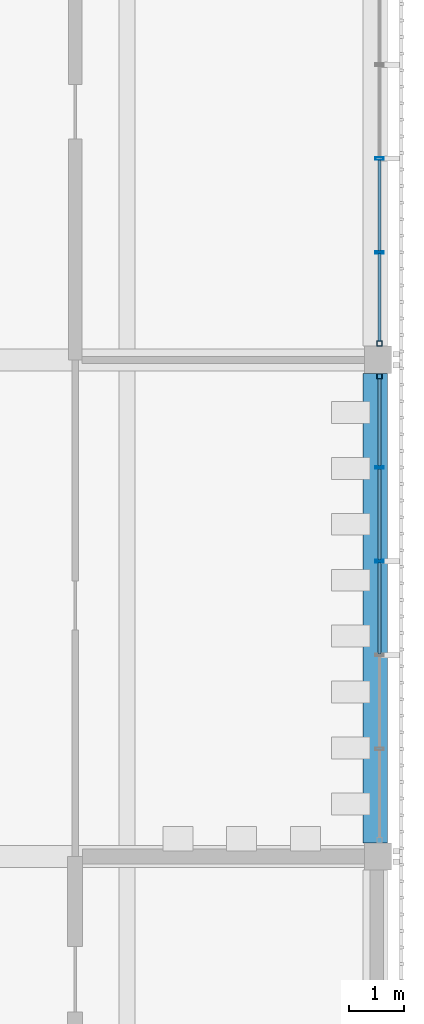
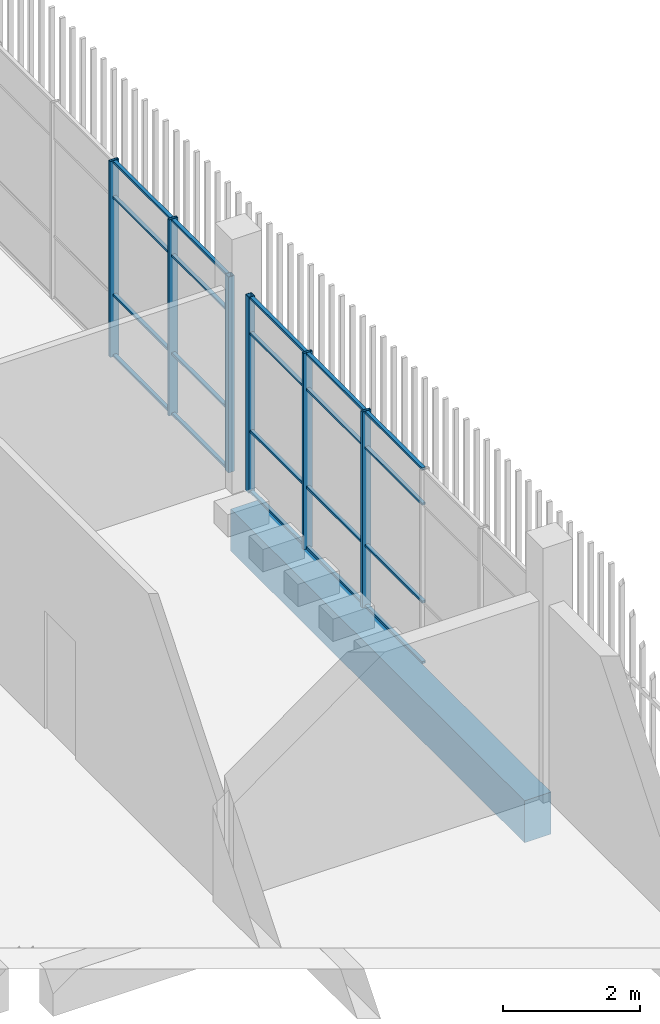
# One storey, part 54 of 124: 26 members, 1 beam, 2 elements without a shape of their own.
"""IFC4 building model written with IfcOpenShell, lengths in metres."""

from ifc_helpers import new_model, si_unit, direction, frame, origin, origin_2d, place, context, subcontext, project, spatial, rectangle, hollow_rectangle, extrude, material, layer, layer_set, material_profile, profile_set, type_object, element, aggregate, save


model = new_model("IFC4")

# Units and contexts
model_context = context("Model", 3, precision=1e-05, world=origin(), true_north=direction((0.0, 1.0)))
body_context = subcontext(model_context, "Body", "Model", "MODEL_VIEW")
ifc_project = project(units=[si_unit("LENGTHUNIT", "METRE"), si_unit("AREAUNIT", "SQUARE_METRE"), si_unit("VOLUMEUNIT", "CUBIC_METRE"), si_unit("PLANEANGLEUNIT", "RADIAN"), si_unit("MASSUNIT", "GRAM", prefix="KILO")], contexts=[model_context])

# Site, building, storey
site_placement = place(None, origin())
site = spatial("IfcSite", under=ifc_project, at=site_placement, CompositionType="ELEMENT")
building_placement = place(site_placement, origin())
building = spatial("IfcBuilding", under=site, at=building_placement, Name="Shirokan Park Arena", CompositionType="ELEMENT")
storey_placement = place(building_placement, frame((0.0, 0.0, 20.02001953125)))
storey = spatial("IfcBuildingStorey", under=building, at=storey_placement, Name="L04", CompositionType="ELEMENT", Elevation=20.02001953125)

# Curtain wall, member
ifc_material_1 = material(Name="Steel and glass curtain wall", Category="steel")
ifc_layer = layer(ifc_material_1, 0.14990234375)
ifc_layer_set = layer_set([ifc_layer], Name="Steel and glass curtain wall 150 mm")
curtain_wall_type = type_object("IfcCurtainWallType", Name="Curtain wall exposed bay 150", PredefinedType="NOTDEFINED", material=ifc_layer_set)
curtain_wall_1_placement = place(storey_placement, origin())
curtain_wall_1 = element("IfcCurtainWall", 1, at=curtain_wall_1_placement, inside=storey, type_object=curtain_wall_type, Name="Curtain wall east bay 6 L04", PredefinedType="NOTDEFINED")
ifc_material_2 = material(Name="Steel S355", Category="steel")
ifc_material_profile_1 = material_profile(ifc_material_2, hollow_rectangle(XDim=0.10009765625, YDim=0.10009765625, WallThickness=0.006103515625, at=origin_2d()), Name="RHS 100x100x6")
ifc_profile_set_1 = profile_set([ifc_material_profile_1], Name="Steel S355")
member_type_1 = type_object("IfcMemberType", Name="Mullion RHS 100x100x6", PredefinedType="MULLION", material=ifc_profile_set_1)
member_1_placement = place(storey_placement, frame((145.675048828125, 54.300048828125, 0.0), z_axis=(0.0, 0.0, 1.0), x_axis=(-1.0, 0.0, 0.0)))
member_1 = element("IfcMember", 2, at=member_1_placement, type_object=member_type_1, Name="CW1 mullion 6", PredefinedType="MULLION", context=body_context, shape_type="SweptSolid", body=[
    extrude(hollow_rectangle(XDim=0.10009765625, YDim=0.10009765625, WallThickness=0.006103515625, at=origin_2d()), origin(), (0.0, 0.0, 1.0), 3.5),
])

curtain_wall_2_placement = place(storey_placement, origin())
curtain_wall_2 = element("IfcCurtainWall", 3, at=curtain_wall_2_placement, inside=storey, type_object=curtain_wall_type, Name="Curtain wall east bay 7 L04", PredefinedType="NOTDEFINED")
member_2_placement = place(storey_placement, frame((145.675048828125, 54.89990234375, 0.0), z_axis=(0.0, 0.0, 1.0), x_axis=(-1.0, 0.0, 0.0)))
member_2 = element("IfcMember", 4, at=member_2_placement, type_object=member_type_1, Name="CW1 mullion 1", PredefinedType="MULLION", context=body_context, shape_type="SweptSolid", body=[
    extrude(hollow_rectangle(XDim=0.10009765625, YDim=0.10009765625, WallThickness=0.006103515625, at=origin_2d()), origin(), (0.0, 0.0, 1.0), 3.5),
])

# Member
ifc_material_profile_2 = material_profile(ifc_material_2, hollow_rectangle(XDim=0.14990234375, YDim=0.050048828125, WallThickness=0.006103515625, at=origin_2d()), Name="RHS 150x50x6")
ifc_profile_set_2 = profile_set([ifc_material_profile_2], Name="Steel S355")
member_type_2 = type_object("IfcMemberType", Name="Mullion RHS 150x50x6", PredefinedType="MULLION", material=ifc_profile_set_2)
member_3_placement = place(storey_placement, frame((145.675048828125, 50.909912109375, 0.0), z_axis=(0.0, 0.0, 1.0), x_axis=(-1.0, 0.0, 0.0)))
member_3 = element("IfcMember", 5, at=member_3_placement, type_object=member_type_2, Name="CW1 mullion 4", PredefinedType="MULLION", context=body_context, shape_type="SweptSolid", body=[
    extrude(hollow_rectangle(XDim=0.14990234375, YDim=0.050048828125, WallThickness=0.006103515625, at=origin_2d()), origin(), (0.0, 0.0, 1.0), 3.5),
])

member_4_placement = place(storey_placement, frame((145.675048828125, 52.6298828125, 0.0), z_axis=(0.0, 0.0, 1.0), x_axis=(-1.0, 0.0, 0.0)))
member_4 = element("IfcMember", 6, at=member_4_placement, type_object=member_type_2, Name="CW1 mullion 5", PredefinedType="MULLION", context=body_context, shape_type="SweptSolid", body=[
    extrude(hollow_rectangle(XDim=0.14990234375, YDim=0.050048828125, WallThickness=0.006103515625, at=origin_2d()), origin(), (0.0, 0.0, 1.0), 3.5),
])

member_5_placement = place(storey_placement, frame((145.675048828125, 56.570068359375, 0.0), z_axis=(0.0, 0.0, 1.0), x_axis=(-1.0, 0.0, 0.0)))
member_5 = element("IfcMember", 7, at=member_5_placement, type_object=member_type_2, Name="CW1 mullion 2", PredefinedType="MULLION", context=body_context, shape_type="SweptSolid", body=[
    extrude(hollow_rectangle(XDim=0.14990234375, YDim=0.050048828125, WallThickness=0.006103515625, at=origin_2d()), origin(), (0.0, 0.0, 1.0), 3.5),
])

member_6_placement = place(storey_placement, frame((145.675048828125, 58.2900390625, 0.0), z_axis=(0.0, 0.0, 1.0), x_axis=(-1.0, 0.0, 0.0)))
member_6 = element("IfcMember", 8, at=member_6_placement, type_object=member_type_2, Name="CW1 mullion 3", PredefinedType="MULLION", context=body_context, shape_type="SweptSolid", body=[
    extrude(hollow_rectangle(XDim=0.14990234375, YDim=0.050048828125, WallThickness=0.006103515625, at=origin_2d()), origin(), (0.0, 0.0, 1.0), 3.5),
])

# Beam
ifc_material_3 = material(Name="Concrete C35", Category="concrete")
ifc_material_profile_3 = material_profile(ifc_material_3, rectangle(XDim=0.449951171875, YDim=0.75, at=origin_2d()), Name="450x750")
ifc_profile_set_3 = profile_set([ifc_material_profile_3], Name="Concrete C35")
beam_type = type_object("IfcBeamType", Name="RC girder 450x750", PredefinedType="BEAM", material=ifc_profile_set_3)
beam_placement = place(storey_placement, frame((145.60009765625, 45.75, -0.625), z_axis=(0.0, 1.0, 0.0), x_axis=(-1.0, 0.0, 0.0)))
element("IfcBeam", 9, at=beam_placement, inside=storey, type_object=beam_type, Name="Girder 17F-17G L04", PredefinedType="BEAM", context=body_context, shape_type="SweptSolid", body=[
    extrude(rectangle(XDim=0.449951171875, YDim=0.75, at=origin_2d()), origin(), (0.0, 0.0, 1.0), 8.599853515625),
])

# Member
ifc_material_profile_4 = material_profile(ifc_material_2, hollow_rectangle(XDim=0.06005859375, YDim=0.0400390625, WallThickness=0.00390625, at=origin_2d()), Name="RHS 60x40x4")
ifc_profile_set_4 = profile_set([ifc_material_profile_4], Name="Steel S355")
member_type_3 = type_object("IfcMemberType", Name="Transom RHS 60x40x4", PredefinedType="MULLION", material=ifc_profile_set_4)
member_7_placement = place(storey_placement, frame((145.675048828125, 49.215087890625, 0.02001953125), z_axis=(0.0, 1.0, 0.0), x_axis=(-1.0, 0.0, 0.0)))
member_7 = element("IfcMember", 10, at=member_7_placement, type_object=member_type_3, Name="CW1 transom 3.1", PredefinedType="MULLION", context=body_context, shape_type="SweptSolid", body=[
    extrude(hollow_rectangle(XDim=0.06005859375, YDim=0.0400390625, WallThickness=0.00390625, at=origin_2d()), origin(), (0.0, 0.0, 1.0), 1.669921875),
])

member_8_placement = place(storey_placement, frame((145.675048828125, 49.215087890625, 1.10009765625), z_axis=(0.0, 1.0, 0.0), x_axis=(-1.0, 0.0, 0.0)))
member_8 = element("IfcMember", 11, at=member_8_placement, type_object=member_type_3, Name="CW1 transom 3.2", PredefinedType="MULLION", context=body_context, shape_type="SweptSolid", body=[
    extrude(hollow_rectangle(XDim=0.06005859375, YDim=0.0400390625, WallThickness=0.00390625, at=origin_2d()), origin(), (0.0, 0.0, 1.0), 1.669921875),
])

member_9_placement = place(storey_placement, frame((145.675048828125, 49.215087890625, 2.85009765625), z_axis=(0.0, 1.0, 0.0), x_axis=(-1.0, 0.0, 0.0)))
member_9 = element("IfcMember", 12, at=member_9_placement, type_object=member_type_3, Name="CW1 transom 3.3", PredefinedType="MULLION", context=body_context, shape_type="SweptSolid", body=[
    extrude(hollow_rectangle(XDim=0.06005859375, YDim=0.0400390625, WallThickness=0.00390625, at=origin_2d()), origin(), (0.0, 0.0, 1.0), 1.669921875),
])

member_10_placement = place(storey_placement, frame((145.675048828125, 49.215087890625, 3.47998046875), z_axis=(0.0, 1.0, 0.0), x_axis=(-1.0, 0.0, 0.0)))
member_10 = element("IfcMember", 13, at=member_10_placement, type_object=member_type_3, Name="CW1 transom 3.4", PredefinedType="MULLION", context=body_context, shape_type="SweptSolid", body=[
    extrude(hollow_rectangle(XDim=0.06005859375, YDim=0.0400390625, WallThickness=0.00390625, at=origin_2d()), origin(), (0.0, 0.0, 1.0), 1.669921875),
])

member_11_placement = place(storey_placement, frame((145.675048828125, 50.93505859375, 0.02001953125), z_axis=(0.0, 1.0, 0.0), x_axis=(-1.0, 0.0, 0.0)))
member_11 = element("IfcMember", 14, at=member_11_placement, type_object=member_type_3, Name="CW1 transom 4.1", PredefinedType="MULLION", context=body_context, shape_type="SweptSolid", body=[
    extrude(hollow_rectangle(XDim=0.06005859375, YDim=0.0400390625, WallThickness=0.00390625, at=origin_2d()), origin(), (0.0, 0.0, 1.0), 1.669921875),
])

member_12_placement = place(storey_placement, frame((145.675048828125, 50.93505859375, 1.10009765625), z_axis=(0.0, 1.0, 0.0), x_axis=(-1.0, 0.0, 0.0)))
member_12 = element("IfcMember", 15, at=member_12_placement, type_object=member_type_3, Name="CW1 transom 4.2", PredefinedType="MULLION", context=body_context, shape_type="SweptSolid", body=[
    extrude(hollow_rectangle(XDim=0.06005859375, YDim=0.0400390625, WallThickness=0.00390625, at=origin_2d()), origin(), (0.0, 0.0, 1.0), 1.669921875),
])

member_13_placement = place(storey_placement, frame((145.675048828125, 50.93505859375, 2.85009765625), z_axis=(0.0, 1.0, 0.0), x_axis=(-1.0, 0.0, 0.0)))
member_13 = element("IfcMember", 16, at=member_13_placement, type_object=member_type_3, Name="CW1 transom 4.3", PredefinedType="MULLION", context=body_context, shape_type="SweptSolid", body=[
    extrude(hollow_rectangle(XDim=0.06005859375, YDim=0.0400390625, WallThickness=0.00390625, at=origin_2d()), origin(), (0.0, 0.0, 1.0), 1.669921875),
])

member_14_placement = place(storey_placement, frame((145.675048828125, 50.93505859375, 3.47998046875), z_axis=(0.0, 1.0, 0.0), x_axis=(-1.0, 0.0, 0.0)))
member_14 = element("IfcMember", 17, at=member_14_placement, type_object=member_type_3, Name="CW1 transom 4.4", PredefinedType="MULLION", context=body_context, shape_type="SweptSolid", body=[
    extrude(hollow_rectangle(XDim=0.06005859375, YDim=0.0400390625, WallThickness=0.00390625, at=origin_2d()), origin(), (0.0, 0.0, 1.0), 1.669921875),
])

member_15_placement = place(storey_placement, frame((145.675048828125, 52.655029296875, 0.02001953125), z_axis=(0.0, 1.0, 0.0), x_axis=(-1.0, 0.0, 0.0)))
member_15 = element("IfcMember", 18, at=member_15_placement, type_object=member_type_3, Name="CW1 transom 5.1", PredefinedType="MULLION", context=body_context, shape_type="SweptSolid", body=[
    extrude(hollow_rectangle(XDim=0.06005859375, YDim=0.0400390625, WallThickness=0.00390625, at=origin_2d()), origin(), (0.0, 0.0, 1.0), 1.594970703125),
])

member_16_placement = place(storey_placement, frame((145.675048828125, 52.655029296875, 1.10009765625), z_axis=(0.0, 1.0, 0.0), x_axis=(-1.0, 0.0, 0.0)))
member_16 = element("IfcMember", 19, at=member_16_placement, type_object=member_type_3, Name="CW1 transom 5.2", PredefinedType="MULLION", context=body_context, shape_type="SweptSolid", body=[
    extrude(hollow_rectangle(XDim=0.06005859375, YDim=0.0400390625, WallThickness=0.00390625, at=origin_2d()), origin(), (0.0, 0.0, 1.0), 1.594970703125),
])

member_17_placement = place(storey_placement, frame((145.675048828125, 52.655029296875, 2.85009765625), z_axis=(0.0, 1.0, 0.0), x_axis=(-1.0, 0.0, 0.0)))
member_17 = element("IfcMember", 20, at=member_17_placement, type_object=member_type_3, Name="CW1 transom 5.3", PredefinedType="MULLION", context=body_context, shape_type="SweptSolid", body=[
    extrude(hollow_rectangle(XDim=0.06005859375, YDim=0.0400390625, WallThickness=0.00390625, at=origin_2d()), origin(), (0.0, 0.0, 1.0), 1.594970703125),
])

member_18_placement = place(storey_placement, frame((145.675048828125, 52.655029296875, 3.47998046875), z_axis=(0.0, 1.0, 0.0), x_axis=(-1.0, 0.0, 0.0)))
member_18 = element("IfcMember", 21, at=member_18_placement, type_object=member_type_3, Name="CW1 transom 5.4", PredefinedType="MULLION", context=body_context, shape_type="SweptSolid", body=[
    extrude(hollow_rectangle(XDim=0.06005859375, YDim=0.0400390625, WallThickness=0.00390625, at=origin_2d()), origin(), (0.0, 0.0, 1.0), 1.594970703125),
])

aggregate(curtain_wall_1, [member_3, member_4, member_1, member_7, member_8, member_9, member_10, member_11, member_12, member_13, member_14, member_15, member_16, member_17, member_18])

member_19_placement = place(storey_placement, frame((145.675048828125, 54.949951171875, 0.02001953125), z_axis=(0.0, 1.0, 0.0), x_axis=(-1.0, 0.0, 0.0)))
member_19 = element("IfcMember", 22, at=member_19_placement, type_object=member_type_3, Name="CW1 transom 1.1", PredefinedType="MULLION", context=body_context, shape_type="SweptSolid", body=[
    extrude(hollow_rectangle(XDim=0.06005859375, YDim=0.0400390625, WallThickness=0.00390625, at=origin_2d()), origin(), (0.0, 0.0, 1.0), 1.594970703125),
])

member_20_placement = place(storey_placement, frame((145.675048828125, 54.949951171875, 1.10009765625), z_axis=(0.0, 1.0, 0.0), x_axis=(-1.0, 0.0, 0.0)))
member_20 = element("IfcMember", 23, at=member_20_placement, type_object=member_type_3, Name="CW1 transom 1.2", PredefinedType="MULLION", context=body_context, shape_type="SweptSolid", body=[
    extrude(hollow_rectangle(XDim=0.06005859375, YDim=0.0400390625, WallThickness=0.00390625, at=origin_2d()), origin(), (0.0, 0.0, 1.0), 1.594970703125),
])

member_21_placement = place(storey_placement, frame((145.675048828125, 54.949951171875, 2.85009765625), z_axis=(0.0, 1.0, 0.0), x_axis=(-1.0, 0.0, 0.0)))
member_21 = element("IfcMember", 24, at=member_21_placement, type_object=member_type_3, Name="CW1 transom 1.3", PredefinedType="MULLION", context=body_context, shape_type="SweptSolid", body=[
    extrude(hollow_rectangle(XDim=0.06005859375, YDim=0.0400390625, WallThickness=0.00390625, at=origin_2d()), origin(), (0.0, 0.0, 1.0), 1.594970703125),
])

member_22_placement = place(storey_placement, frame((145.675048828125, 54.949951171875, 3.47998046875), z_axis=(0.0, 1.0, 0.0), x_axis=(-1.0, 0.0, 0.0)))
member_22 = element("IfcMember", 25, at=member_22_placement, type_object=member_type_3, Name="CW1 transom 1.4", PredefinedType="MULLION", context=body_context, shape_type="SweptSolid", body=[
    extrude(hollow_rectangle(XDim=0.06005859375, YDim=0.0400390625, WallThickness=0.00390625, at=origin_2d()), origin(), (0.0, 0.0, 1.0), 1.594970703125),
])

member_23_placement = place(storey_placement, frame((145.675048828125, 56.594970703125, 0.02001953125), z_axis=(0.0, 1.0, 0.0), x_axis=(-1.0, 0.0, 0.0)))
member_23 = element("IfcMember", 26, at=member_23_placement, type_object=member_type_3, Name="CW1 transom 2.1", PredefinedType="MULLION", context=body_context, shape_type="SweptSolid", body=[
    extrude(hollow_rectangle(XDim=0.06005859375, YDim=0.0400390625, WallThickness=0.00390625, at=origin_2d()), origin(), (0.0, 0.0, 1.0), 1.669921875),
])

member_24_placement = place(storey_placement, frame((145.675048828125, 56.594970703125, 1.10009765625), z_axis=(0.0, 1.0, 0.0), x_axis=(-1.0, 0.0, 0.0)))
member_24 = element("IfcMember", 27, at=member_24_placement, type_object=member_type_3, Name="CW1 transom 2.2", PredefinedType="MULLION", context=body_context, shape_type="SweptSolid", body=[
    extrude(hollow_rectangle(XDim=0.06005859375, YDim=0.0400390625, WallThickness=0.00390625, at=origin_2d()), origin(), (0.0, 0.0, 1.0), 1.669921875),
])

member_25_placement = place(storey_placement, frame((145.675048828125, 56.594970703125, 2.85009765625), z_axis=(0.0, 1.0, 0.0), x_axis=(-1.0, 0.0, 0.0)))
member_25 = element("IfcMember", 28, at=member_25_placement, type_object=member_type_3, Name="CW1 transom 2.3", PredefinedType="MULLION", context=body_context, shape_type="SweptSolid", body=[
    extrude(hollow_rectangle(XDim=0.06005859375, YDim=0.0400390625, WallThickness=0.00390625, at=origin_2d()), origin(), (0.0, 0.0, 1.0), 1.669921875),
])

member_26_placement = place(storey_placement, frame((145.675048828125, 56.594970703125, 3.47998046875), z_axis=(0.0, 1.0, 0.0), x_axis=(-1.0, 0.0, 0.0)))
member_26 = element("IfcMember", 29, at=member_26_placement, type_object=member_type_3, Name="CW1 transom 2.4", PredefinedType="MULLION", context=body_context, shape_type="SweptSolid", body=[
    extrude(hollow_rectangle(XDim=0.06005859375, YDim=0.0400390625, WallThickness=0.00390625, at=origin_2d()), origin(), (0.0, 0.0, 1.0), 1.669921875),
])

aggregate(curtain_wall_2, [member_2, member_5, member_6, member_19, member_20, member_21, member_22, member_23, member_24, member_25, member_26])

save(model, "model.ifc")
